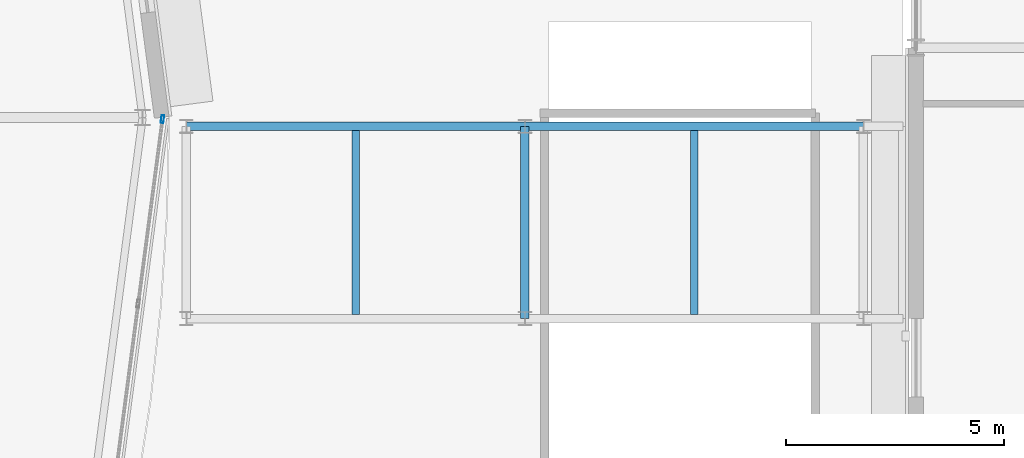
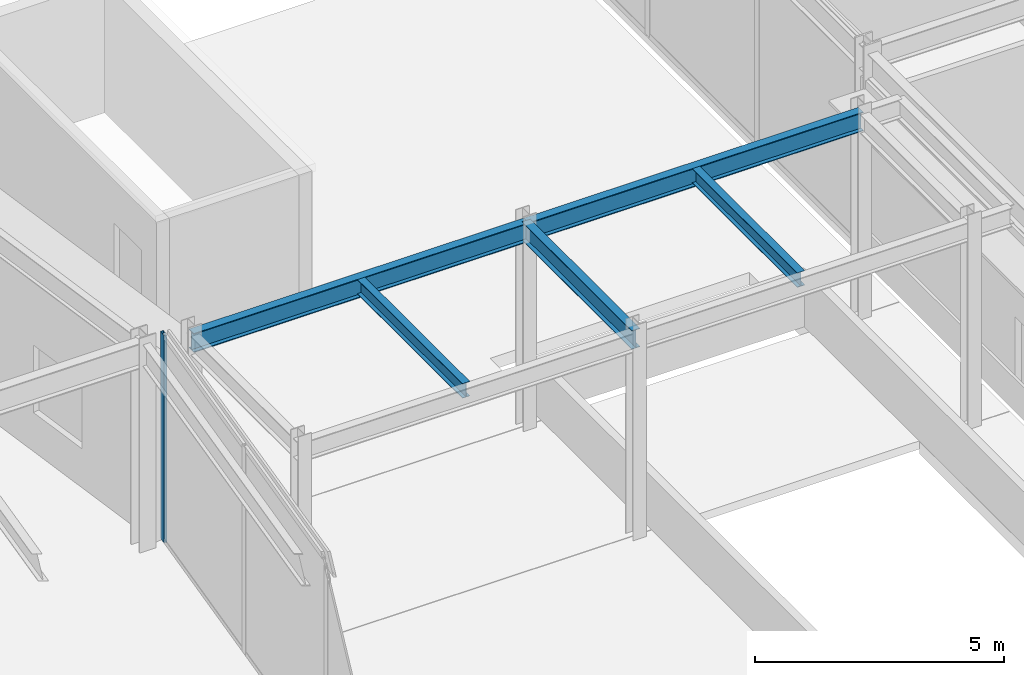
# One storey, part 99 of 168: 5 beams, 1 member, 1 element without a shape of its own.
"""IFC4 building model written with IfcOpenShell, lengths in metres."""

from ifc_helpers import new_model, si_unit, direction, frame, origin, origin_2d, place, context, subcontext, project, spatial, hollow_rectangle, i_section, extrude, material, material_profile, profile_set, type_object, element, aggregate, save


model = new_model("IFC4")

# Units and contexts
model_context = context("Model", 3, precision=1e-05, world=origin(), true_north=direction((0.0, 1.0)))
body_context = subcontext(model_context, "Body", "Model", "MODEL_VIEW")
ifc_project = project(units=[si_unit("LENGTHUNIT", "METRE"), si_unit("AREAUNIT", "SQUARE_METRE"), si_unit("VOLUMEUNIT", "CUBIC_METRE"), si_unit("PLANEANGLEUNIT", "RADIAN"), si_unit("MASSUNIT", "GRAM", prefix="KILO")], contexts=[model_context])

# Site, building, storey
site_placement = place(None, origin())
site = spatial("IfcSite", under=ifc_project, at=site_placement, CompositionType="ELEMENT")
building_placement = place(site_placement, origin())
building = spatial("IfcBuilding", under=site, at=building_placement, Name="Almandine Court Research Institute", CompositionType="ELEMENT")
storey_placement = place(building_placement, origin())
storey = spatial("IfcBuildingStorey", under=building, at=storey_placement, Name="L00", CompositionType="ELEMENT", Elevation=0.0)

# Beams
ifc_material_1 = material(Name="Steel ASTM A992 Grade 50", Category="steel")
ifc_material_profile_1 = material_profile(ifc_material_1, i_section(OverallWidth=0.18994140625, OverallDepth=0.45703125, WebThickness=0.009033203125, FlangeThickness=0.014892578125, at=origin_2d()), Name="W460x74")
ifc_profile_set_1 = profile_set([ifc_material_profile_1], Name="Steel ASTM A992 Grade 50")
beam_type_1 = type_object("IfcBeamType", Name="Beam-B-01", PredefinedType="BEAM", material=ifc_profile_set_1)
beam_placement = place(storey_placement, frame((144.64990234375, 51.39990234375, 4.794921875), z_axis=(0.0, 1.0, 0.0), x_axis=(-1.0, 0.0, 0.0)))
element("IfcBeam", 1, at=beam_placement, inside=storey, type_object=beam_type_1, Name="L00 DAL-E Primary Y Girder", PredefinedType="BEAM", context=body_context, shape_type="SweptSolid", body=[
    extrude(i_section(OverallWidth=0.18994140625, OverallDepth=0.45703125, WebThickness=0.009033203125, FlangeThickness=0.014892578125, at=origin_2d()), origin(), (0.0, 0.0, 1.0), 4.400146484375),
])
ifc_material_profile_2 = material_profile(ifc_material_1, i_section(OverallWidth=0.172119140625, OverallDepth=0.35791015625, WebThickness=0.008056640625, FlangeThickness=0.012939453125, at=origin_2d()), Name="W360x57")
ifc_profile_set_2 = profile_set([ifc_material_profile_2], Name="Steel ASTM A992 Grade 50")
beam_type_2 = type_object("IfcBeamType", Name="Beam-B-03", PredefinedType="JOIST", material=ifc_profile_set_2)
for number, where, z_axis, x_axis, name in (
    (2, (140.77490234375, 51.493896484375, 4.843994140625), (0.0, 1.0, 0.0), (-1.0, 0.0, 0.0), "L00 DAL-E Composite Secondary Beam"),
    (3, (148.52490234375, 51.493896484375, 4.843994140625), (0.0, 1.0, 0.0), (-1.0, 0.0, 0.0), "L00 DAL-E Composite Secondary Beam"),
):
    element("IfcBeam", number, at=place(storey_placement, frame(where, z_axis=z_axis, x_axis=x_axis)), inside=storey, type_object=beam_type_2, Name=name, PredefinedType="JOIST", context=body_context, shape_type="SweptSolid", body=[
        extrude(i_section(OverallWidth=0.172119140625, OverallDepth=0.35791015625, WebThickness=0.008056640625, FlangeThickness=0.012939453125, at=origin_2d()), origin(), (0.0, 0.0, 1.0), 4.212158203125),
    ])
ifc_material_profile_3 = material_profile(ifc_material_1, i_section(OverallWidth=0.193115234375, OverallDepth=0.466064453125, WebThickness=0.010986328125, FlangeThickness=0.01904296875, at=origin_2d()), Name="W460x97")
ifc_profile_set_3 = profile_set([ifc_material_profile_3], Name="Steel ASTM A992 Grade 50")
beam_type_3 = type_object("IfcBeamType", Name="Beam-G-06-E", PredefinedType="SPANDREL", material=ifc_profile_set_3)
for number, where, z_axis, x_axis, name in (
    (4, (136.89990234375, 55.800048828125, 4.7900390625), (1.0, 0.0, 0.0), (0.0, 1.0, 0.0), "L00 DAL-E Primary X Girder"),
    (5, (144.64990234375, 55.800048828125, 4.7900390625), (1.0, 0.0, 0.0), (0.0, 1.0, 0.0), "L00 DAL-E Primary X Girder"),
):
    element("IfcBeam", number, at=place(storey_placement, frame(where, z_axis=z_axis, x_axis=x_axis)), inside=storey, type_object=beam_type_3, Name=name, PredefinedType="SPANDREL", context=body_context, shape_type="SweptSolid", body=[
        extrude(i_section(OverallWidth=0.193115234375, OverallDepth=0.466064453125, WebThickness=0.010986328125, FlangeThickness=0.01904296875, at=origin_2d()), origin(), (0.0, 0.0, 1.0), 7.75),
    ])

# Curtain wall, member
ifc_material_2 = material(Name="Unitised Curtain Wall Framing and Solar Glazing", Category="glass")
curtain_wall_type = type_object("IfcCurtainWallType", Name="CW-CWJ-17", PredefinedType="USERDEFINED", material=ifc_material_2)
curtain_wall_placement = place(storey_placement, origin())
curtain_wall = element("IfcCurtainWall", 6, at=curtain_wall_placement, inside=storey, type_object=curtain_wall_type, Name="L00 Stacked-Ring Drum Outer Solar Jali Screen 23", ObjectType="SOLAR JALI SCREEN", PredefinedType="USERDEFINED")
ifc_material_3 = material(Name="Anodised Aluminium AW-6063-T6", Category="aluminium")
ifc_material_profile_4 = material_profile(ifc_material_3, hollow_rectangle(XDim=0.06494140625, YDim=0.179931640625, WallThickness=0.00390625, at=origin_2d()), Name="ALU RHS 65x180x4")
ifc_profile_set_4 = profile_set([ifc_material_profile_4], Name="Anodised Aluminium AW-6063-T6")
member_type = type_object("IfcMemberType", Name="CWMul-65x180", PredefinedType="MULLION", material=ifc_profile_set_4)
member_placement = place(storey_placement, frame((136.355712890625, 55.9638671875, 0.0), z_axis=(0.0, 0.0, 1.0), x_axis=(0.991442926098, -0.130540891259, 0.0)))
member = element("IfcMember", 7, at=member_placement, type_object=member_type, Name="CWJ-17 mullion 1", PredefinedType="MULLION", context=body_context, shape_type="SweptSolid", body=[
    extrude(hollow_rectangle(XDim=0.06494140625, YDim=0.179931640625, WallThickness=0.00390625, at=origin_2d()), origin(), (0.0, 0.0, 1.0), 5.070068359375),
])
aggregate(curtain_wall, [member])

save(model, "model.ifc")
